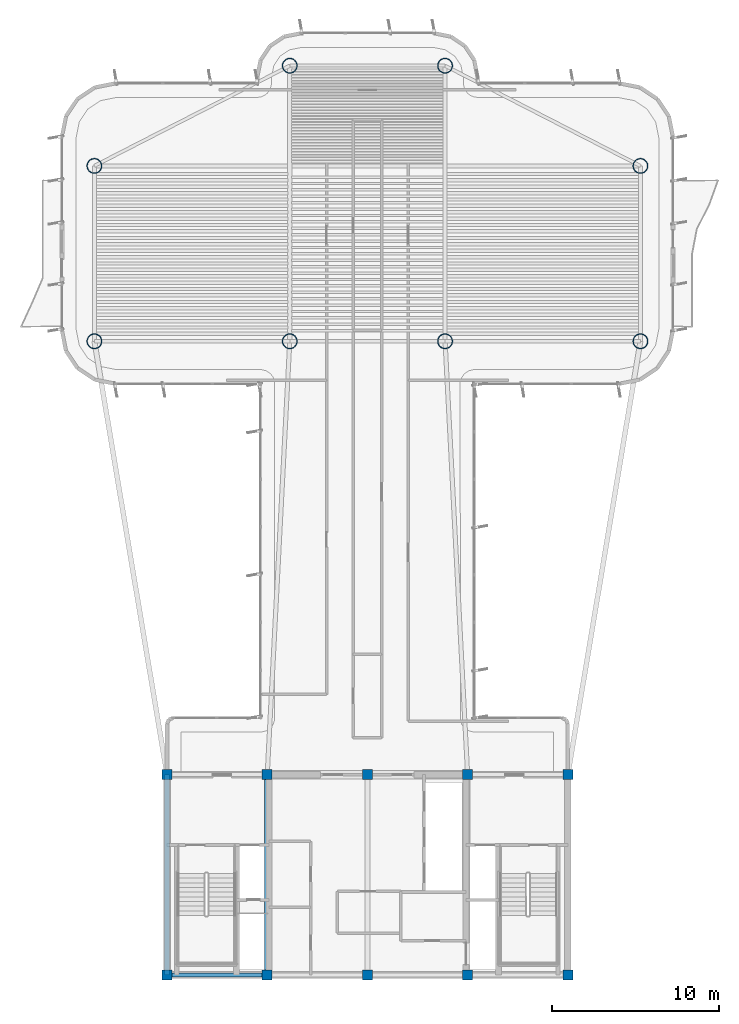
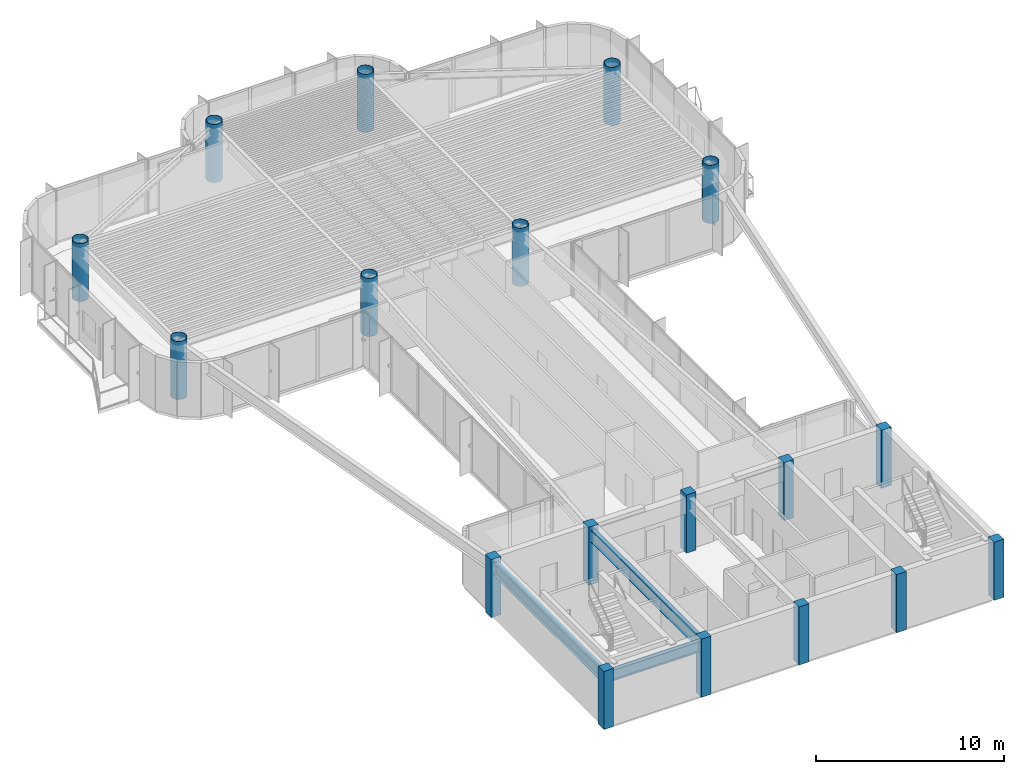
# One storey, part 1 of 14: 18 columns, 3 beams.
"""IFC4 building model written with IfcOpenShell, lengths in metres."""

from ifc_helpers import new_model, si_unit, direction, frame, origin, origin_2d, place, context, subcontext, project, spatial, rectangle, hollow_circle, i_section, extrude, source, transform, mapped, material, material_profile, profile_set, type_object, element, save


model = new_model("IFC4")

# Units and contexts
model_context = context("Model", 3, precision=1e-05, world=origin(), true_north=direction((0.0, 1.0)))
body_context = subcontext(model_context, "Body", "Model", "MODEL_VIEW")
ifc_project = project(units=[si_unit("LENGTHUNIT", "METRE"), si_unit("AREAUNIT", "SQUARE_METRE"), si_unit("VOLUMEUNIT", "CUBIC_METRE"), si_unit("PLANEANGLEUNIT", "RADIAN"), si_unit("MASSUNIT", "GRAM", prefix="KILO")], contexts=[model_context])

# Site, building, storey
site_placement = place(None, origin())
site = spatial("IfcSite", under=ifc_project, at=site_placement, CompositionType="ELEMENT")
building_placement = place(site_placement, origin())
building = spatial("IfcBuilding", under=site, at=building_placement, Name="Brelvock Crest Care Tower", CompositionType="ELEMENT")
storey_placement = place(building_placement, frame((0.0, 0.0, 257.0400390625)))
storey = spatial("IfcBuildingStorey", under=building, at=storey_placement, Name="L65", CompositionType="ELEMENT", Elevation=257.0400390625)

# Columns
ifc_material_1 = material(Name="Concrete S65 (65 MPa)", Category="concrete")
ifc_material_profile_1 = material_profile(ifc_material_1, rectangle(XDim=0.60009765625, YDim=0.60009765625, at=origin_2d()), Name="RC600x600")
ifc_profile_set_1 = profile_set([ifc_material_profile_1], Name="Concrete S65 (65 MPa)")
column_type_1 = type_object("IfcColumnType", Name="COL-RC4", PredefinedType="COLUMN", material=ifc_profile_set_1)
shared_shape_1 = source(origin(), body_context, "Body", "SweptSolid", [
    extrude(rectangle(XDim=0.60009765625, YDim=0.60009765625, at=origin_2d()), origin(), (0.0, 0.0, 1.0), 3.780029296875),
])
for number, where, z_axis, x_axis, name in (
    (1, (24.0, 6.0, 0.0), (0.0, 0.0, 1.0), (1.0, 0.0, 0.0), "L65 Core Column CC-01"),
    (2, (30.0, 6.0, 0.0), (0.0, 0.0, 1.0), (1.0, 0.0, 0.0), "L65 Core Column CC-02"),
    (3, (36.0, 6.0, 0.0), (0.0, 0.0, 1.0), (1.0, 0.0, 0.0), "L65 Core Column CC-03"),
    (4, (42.0, 6.0, 0.0), (0.0, 0.0, 1.0), (1.0, 0.0, 0.0), "L65 Core Column CC-04"),
    (5, (48.0, 6.0, 0.0), (0.0, 0.0, 1.0), (1.0, 0.0, 0.0), "L65 Core Column CC-05"),
    (6, (24.0, 18.0, 0.0), (0.0, 0.0, 1.0), (1.0, 0.0, 0.0), "L65 Core Column CC-06"),
    (7, (30.0, 18.0, 0.0), (0.0, 0.0, 1.0), (1.0, 0.0, 0.0), "L65 Core Column CC-07"),
    (8, (36.0, 18.0, 0.0), (0.0, 0.0, 1.0), (1.0, 0.0, 0.0), "L65 Core Column CC-08"),
    (9, (42.0, 18.0, 0.0), (0.0, 0.0, 1.0), (1.0, 0.0, 0.0), "L65 Core Column CC-09"),
    (10, (48.0, 18.0, 0.0), (0.0, 0.0, 1.0), (1.0, 0.0, 0.0), "L65 Core Column CC-10"),
):
    element("IfcColumn", number, at=place(storey_placement, frame(where, z_axis=z_axis, x_axis=x_axis)), inside=storey, type_object=column_type_1, Name=name, PredefinedType="COLUMN", context=body_context, shape_type="MappedRepresentation", body=[
        mapped(shared_shape_1, transform((0.0, 0.0, 0.0), x_axis=(1.0, 0.0, 0.0), y_axis=(0.0, 1.0, 0.0), z_axis=(0.0, 0.0, 1.0), scale=1.0)),
    ])
ifc_material_2 = material(Name="Steel Grade 350", Category="steel")
ifc_material_profile_2 = material_profile(ifc_material_2, hollow_circle(Radius=0.449951171875, WallThickness=0.031982421875, at=origin_2d()), Name="CFT900x32")
ifc_profile_set_2 = profile_set([ifc_material_profile_2], Name="Steel Grade 350")
column_type_2 = type_object("IfcColumnType", Name="COL-MC4", PredefinedType="COLUMN", material=ifc_profile_set_2)
shared_shape_2 = source(origin(), body_context, "Body", "SweptSolid", [
    extrude(hollow_circle(Radius=0.449951171875, WallThickness=0.031982421875, at=origin_2d()), origin(), (0.0, 0.0, 1.0), 3.780029296875),
])
for number, where, z_axis, x_axis, name in (
    (11, (19.64990234375, 43.949951171875, 0.0), (0.0, 0.0, 1.0), (1.0, 0.0, 0.0), "L65 Tower Column M1"),
    (12, (19.64990234375, 54.449951171875, 0.0), (0.0, 0.0, 1.0), (1.0, 0.0, 0.0), "L65 Tower Column M2"),
    (13, (52.35009765625, 43.949951171875, 0.0), (0.0, 0.0, 1.0), (1.0, 0.0, 0.0), "L65 Tower Column M3"),
    (14, (52.35009765625, 54.449951171875, 0.0), (0.0, 0.0, 1.0), (1.0, 0.0, 0.0), "L65 Tower Column M4"),
    (15, (31.35009765625, 43.949951171875, 0.0), (0.0, 0.0, 1.0), (1.0, 0.0, 0.0), "L65 Tower Column M5"),
    (16, (40.64990234375, 43.949951171875, 0.0), (0.0, 0.0, 1.0), (1.0, 0.0, 0.0), "L65 Tower Column M6"),
    (17, (31.35009765625, 60.449951171875, 0.0), (0.0, 0.0, 1.0), (1.0, 0.0, 0.0), "L65 Tower Column M7"),
    (18, (40.64990234375, 60.449951171875, 0.0), (0.0, 0.0, 1.0), (1.0, 0.0, 0.0), "L65 Tower Column M8"),
):
    element("IfcColumn", number, at=place(storey_placement, frame(where, z_axis=z_axis, x_axis=x_axis)), inside=storey, type_object=column_type_2, Name=name, PredefinedType="COLUMN", context=body_context, shape_type="MappedRepresentation", body=[
        mapped(shared_shape_2, transform((0.0, 0.0, 0.0), x_axis=(1.0, 0.0, 0.0), y_axis=(0.0, 1.0, 0.0), z_axis=(0.0, 0.0, 1.0), scale=1.0)),
    ])

# Beams
ifc_material_profile_3 = material_profile(ifc_material_2, i_section(OverallWidth=0.25, OverallDepth=0.699951171875, WebThickness=0.011962890625, FlangeThickness=0.02001953125, at=origin_2d()), Name="700WB150")
ifc_profile_set_3 = profile_set([ifc_material_profile_3], Name="Steel Grade 350")
beam_type_1 = type_object("IfcBeamType", Name="BM-G4", PredefinedType="BEAM", material=ifc_profile_set_3)
shared_shape_3 = source(origin(), body_context, "Body", "SweptSolid", [
    extrude(i_section(OverallWidth=0.25, OverallDepth=0.699951171875, WebThickness=0.011962890625, FlangeThickness=0.02001953125, at=origin_2d()), origin(), (0.0, 0.0, 1.0), 6.0),
])
beam_placement = place(storey_placement, frame((24.0, 6.0, 3.179931640625), z_axis=(1.0, 0.0, 0.0), x_axis=(0.0, 1.0, 0.0)))
element("IfcBeam", 19, at=beam_placement, inside=storey, type_object=beam_type_1, Name="BM-CORES-L65-1", PredefinedType="BEAM", context=body_context, shape_type="MappedRepresentation", body=[
    mapped(shared_shape_3, transform((0.0, 0.0, 0.0), x_axis=(1.0, 0.0, 0.0), y_axis=(0.0, 1.0, 0.0), z_axis=(0.0, 0.0, 1.0), scale=1.0)),
])
ifc_material_profile_4 = material_profile(ifc_material_2, i_section(OverallWidth=0.300048828125, OverallDepth=0.800048828125, WebThickness=0.013916015625, FlangeThickness=0.02197265625, at=origin_2d()), Name="800WB192")
ifc_profile_set_4 = profile_set([ifc_material_profile_4], Name="Steel Grade 350")
beam_type_2 = type_object("IfcBeamType", Name="BM-G5", PredefinedType="BEAM", material=ifc_profile_set_4)
shared_shape_4 = source(origin(), body_context, "Body", "SweptSolid", [
    extrude(i_section(OverallWidth=0.300048828125, OverallDepth=0.800048828125, WebThickness=0.013916015625, FlangeThickness=0.02197265625, at=origin_2d()), origin(), (0.0, 0.0, 1.0), 12.0),
])
for number, where, z_axis, x_axis, name in (
    (20, (24.0, 6.0, 3.1298828125), (0.0, 1.0, 0.0), (-1.0, 0.0, 0.0), "BM-COREX-L65-1"),
    (21, (30.0, 6.0, 3.1298828125), (0.0, 1.0, 0.0), (-1.0, 0.0, 0.0), "BM-COREX-L65-2"),
):
    element("IfcBeam", number, at=place(storey_placement, frame(where, z_axis=z_axis, x_axis=x_axis)), inside=storey, type_object=beam_type_2, Name=name, PredefinedType="BEAM", context=body_context, shape_type="MappedRepresentation", body=[
        mapped(shared_shape_4, transform((0.0, 0.0, 0.0), x_axis=(1.0, 0.0, 0.0), y_axis=(0.0, 1.0, 0.0), z_axis=(0.0, 0.0, 1.0), scale=1.0)),
    ])

save(model, "model.ifc")
